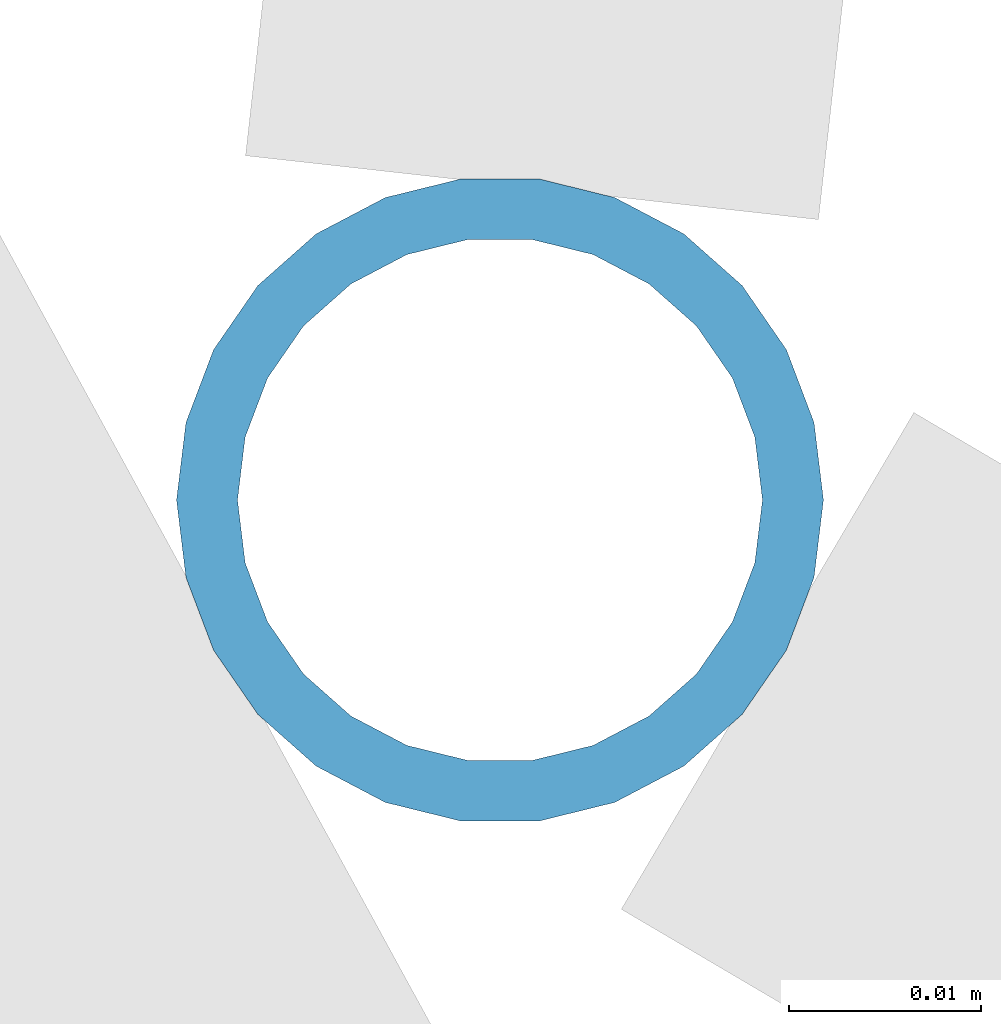
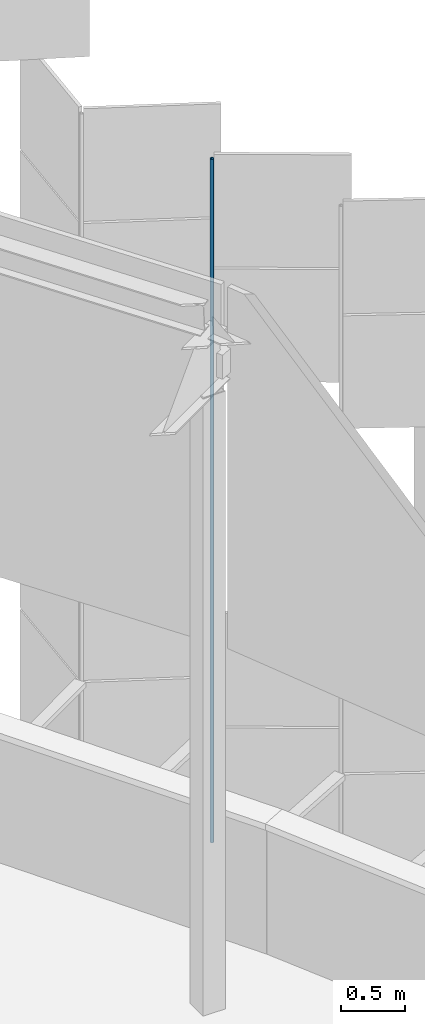
# One storey, part 306 of 483: 1 discrete accessory.
"""IFC4 building model written with IfcOpenShell, lengths in metres."""

from ifc_helpers import new_model, si_unit, direction, frame, origin, origin_2d, place, context, subcontext, project, spatial, hollow_circle, extrude, material, material_profile, profile_set, type_object, element, save


model = new_model("IFC4")

# Units and contexts
model_context = context("Model", 3, precision=1e-05, world=origin(), true_north=direction((0.0, 1.0)))
body_context = subcontext(model_context, "Body", "Model", "MODEL_VIEW")
ifc_project = project(units=[si_unit("LENGTHUNIT", "METRE"), si_unit("AREAUNIT", "SQUARE_METRE"), si_unit("VOLUMEUNIT", "CUBIC_METRE"), si_unit("PLANEANGLEUNIT", "RADIAN"), si_unit("MASSUNIT", "GRAM", prefix="KILO")], contexts=[model_context])

# Site, building, storey
site_placement = place(None, origin())
site = spatial("IfcSite", under=ifc_project, at=site_placement, CompositionType="ELEMENT")
building_placement = place(site_placement, origin())
building = spatial("IfcBuilding", under=site, at=building_placement, Name="Parallax Yard Mobility Hub", CompositionType="ELEMENT")
storey_placement = place(building_placement, frame((0.0, 0.0, 13.199951171875)))
storey = spatial("IfcBuildingStorey", under=building, at=storey_placement, Name="L04", CompositionType="ELEMENT", Elevation=13.199951171875)

# Discrete accessory
ifc_material = material(Name="Steel ASTM A500 Gr C, hot-dip galvanised", Category="steel")
ifc_material_profile = material_profile(ifc_material, hollow_circle(Radius=0.016845703125, WallThickness=0.003173828125, at=origin_2d()), Name="CHS 33.7x3.2")
ifc_profile_set = profile_set([ifc_material_profile], Name="Steel ASTM A500 Gr C, hot-dip galvanised")
discrete_accessory_type = type_object("IfcDiscreteAccessoryType", Name="Hinge post CHS 33.7x3.2", PredefinedType="BRACKET", material=ifc_profile_set)
discrete_accessory_placement = place(storey_placement, frame((219.451416015625, 115.269287109375, 0.0), z_axis=(0.0, 0.0, 1.0), x_axis=(1.0, 0.0, 0.0)))
element("IfcDiscreteAccessory", 1, at=discrete_accessory_placement, inside=storey, type_object=discrete_accessory_type, Name="Hinge post bay 44.2 level L04", PredefinedType="BRACKET", context=body_context, shape_type="SweptSolid", body=[
    extrude(hollow_circle(Radius=0.016845703125, WallThickness=0.003173828125, at=origin_2d()), origin(), (0.0, 0.0, 1.0), 6.550048828125),
])

save(model, "model.ifc")
